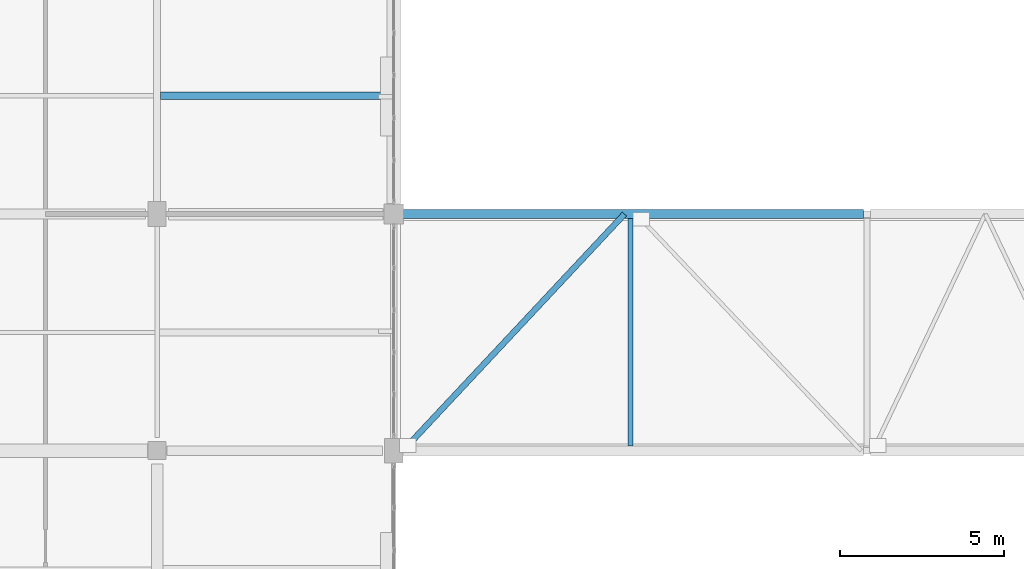
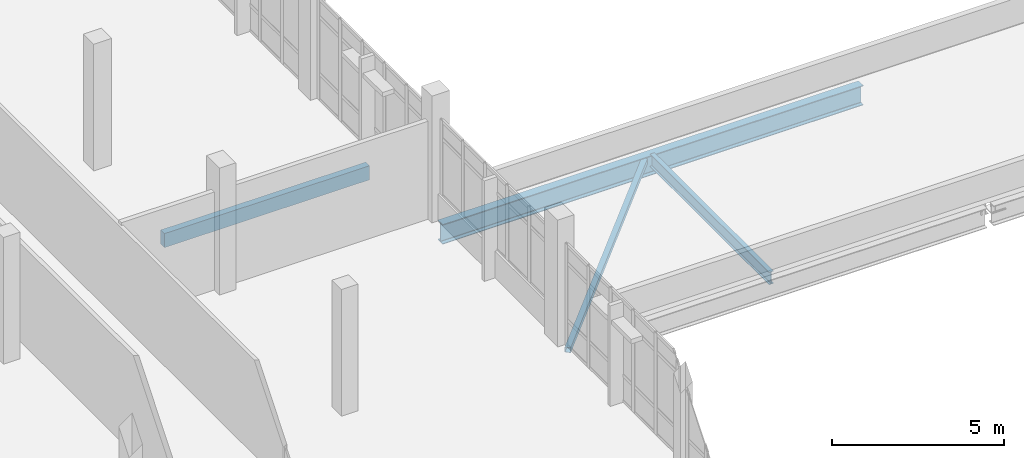
# One storey, part 13 of 87: 3 beams, 1 member.
"""IFC4 building model written with IfcOpenShell, lengths in metres."""

from ifc_helpers import new_model, si_unit, direction, frame, origin, origin_2d, place, context, subcontext, project, spatial, rectangle, hollow_rectangle, i_section, extrude, material, material_profile, profile_set, type_object, element, save


model = new_model("IFC4")

# Units and contexts
model_context = context("Model", 3, precision=1e-05, world=origin(), true_north=direction((0.0, 1.0)))
body_context = subcontext(model_context, "Body", "Model", "MODEL_VIEW")
ifc_project = project(units=[si_unit("LENGTHUNIT", "METRE"), si_unit("AREAUNIT", "SQUARE_METRE"), si_unit("VOLUMEUNIT", "CUBIC_METRE"), si_unit("PLANEANGLEUNIT", "RADIAN"), si_unit("MASSUNIT", "GRAM", prefix="KILO")], contexts=[model_context])

# Site, building, storey
site_placement = place(None, origin())
site = spatial("IfcSite", under=ifc_project, at=site_placement, CompositionType="ELEMENT")
building_placement = place(site_placement, origin())
building = spatial("IfcBuilding", under=site, at=building_placement, Name="Kalluvel Institute of Natural Sciences", CompositionType="ELEMENT")
storey_placement = place(building_placement, frame((0.0, 0.0, 18.89990234375)))
storey = spatial("IfcBuildingStorey", under=building, at=storey_placement, Name="L04", CompositionType="ELEMENT", Elevation=18.89990234375)

# Beams
ifc_material_1 = material(Name="Steel E350 Grade 350", Category="steel")
ifc_material_profile_1 = material_profile(ifc_material_1, i_section(OverallWidth=0.14990234375, OverallDepth=0.449951171875, WebThickness=0.009521484375, FlangeThickness=0.017333984375, FilletRadius=0.014892578125, at=origin_2d()), Name="ISMB 450")
ifc_profile_set_1 = profile_set([ifc_material_profile_1], Name="Steel E350 Grade 350")
beam_type_1 = type_object("IfcBeamType", Name="BM-ISMB450", PredefinedType="BEAM", material=ifc_profile_set_1)
beam_1_placement = place(storey_placement, frame((42.800048828125, 28.5400390625, -0.474853515625), z_axis=(0.0, 1.0, 0.0), x_axis=(-1.0, 0.0, 0.0)))
element("IfcBeam", 1, at=beam_1_placement, inside=storey, type_object=beam_type_1, Name="L04 link bridge cross girder 71", PredefinedType="BEAM", context=body_context, shape_type="SweptSolid", body=[
    extrude(i_section(OverallWidth=0.14990234375, OverallDepth=0.449951171875, WebThickness=0.009521484375, FlangeThickness=0.017333984375, FilletRadius=0.014892578125, at=origin_2d()), origin(), (0.0, 0.0, 1.0), 6.919921875),
])
ifc_material_profile_2 = material_profile(ifc_material_1, i_section(OverallWidth=0.280029296875, OverallDepth=0.699951171875, WebThickness=0.013916015625, FlangeThickness=0.02392578125, FilletRadius=0.01611328125, at=origin_2d()), Name="WPG 700x280")
ifc_profile_set_2 = profile_set([ifc_material_profile_2], Name="Steel E350 Grade 350")
beam_type_2 = type_object("IfcBeamType", Name="BM-WPG700", PredefinedType="BEAM", material=ifc_profile_set_2)
beam_2_placement = place(storey_placement, frame((35.760009765625, 35.60009765625, -0.669921875), z_axis=(1.0, 0.0, 0.0), x_axis=(0.0, 1.0, 0.0)))
element("IfcBeam", 2, at=beam_2_placement, inside=storey, type_object=beam_type_2, Name="L04 link bridge main plate-girder chord 38", PredefinedType="BEAM", context=body_context, shape_type="SweptSolid", body=[
    extrude(i_section(OverallWidth=0.280029296875, OverallDepth=0.699951171875, WebThickness=0.013916015625, FlangeThickness=0.02392578125, FilletRadius=0.01611328125, at=origin_2d()), origin(), (0.0, 0.0, 1.0), 14.1298828125),
])

# Member
ifc_material_profile_3 = material_profile(ifc_material_1, hollow_rectangle(XDim=0.179931640625, YDim=0.179931640625, WallThickness=0.010009765625, at=origin_2d()), Name="SHS 180x180x10")
ifc_profile_set_3 = profile_set([ifc_material_profile_3], Name="Steel E350 Grade 350")
member_type = type_object("IfcMemberType", Name="MB-BR-SHS180", PredefinedType="BRACE", material=ifc_profile_set_3)
member_placement = place(storey_placement, frame((35.8798828125, 28.39990234375, -0.52978515625), z_axis=(0.683404078651, 0.730040317574, 0.0), x_axis=(-0.730040317574, 0.683404078651, 0.0)))
element("IfcMember", 3, at=member_placement, inside=storey, type_object=member_type, Name="L04 link bridge horizontal plan brace L04-01-1", PredefinedType="BRACE", context=body_context, shape_type="SweptSolid", body=[
    extrude(hollow_rectangle(XDim=0.179931640625, YDim=0.179931640625, WallThickness=0.010009765625, at=origin_2d()), origin(), (0.0, 0.0, 1.0), 9.86279296875),
])

# Beam
ifc_material_2 = material(Name="Concrete M40", Category="concrete")
ifc_material_profile_4 = material_profile(ifc_material_2, rectangle(XDim=0.219970703125, YDim=0.5, at=origin_2d()), Name="WAF 220x500")
ifc_profile_set_4 = profile_set([ifc_material_profile_4], Name="Concrete M40")
beam_type_3 = type_object("IfcBeamType", Name="WJ-220x500", PredefinedType="JOIST", material=ifc_profile_set_4)
beam_3_placement = place(storey_placement, frame((28.5048828125, 39.199951171875, -0.5498046875), z_axis=(1.0, 0.0, 0.0), x_axis=(0.0, 1.0, 0.0)))
element("IfcBeam", 4, at=beam_3_placement, inside=storey, type_object=beam_type_3, Name="L04 floor rib RIB-L04-0717", PredefinedType="JOIST", context=body_context, shape_type="SweptSolid", body=[
    extrude(rectangle(XDim=0.219970703125, YDim=0.5, at=origin_2d()), origin(), (0.0, 0.0, 1.0), 6.89501953125),
])

save(model, "model.ifc")
